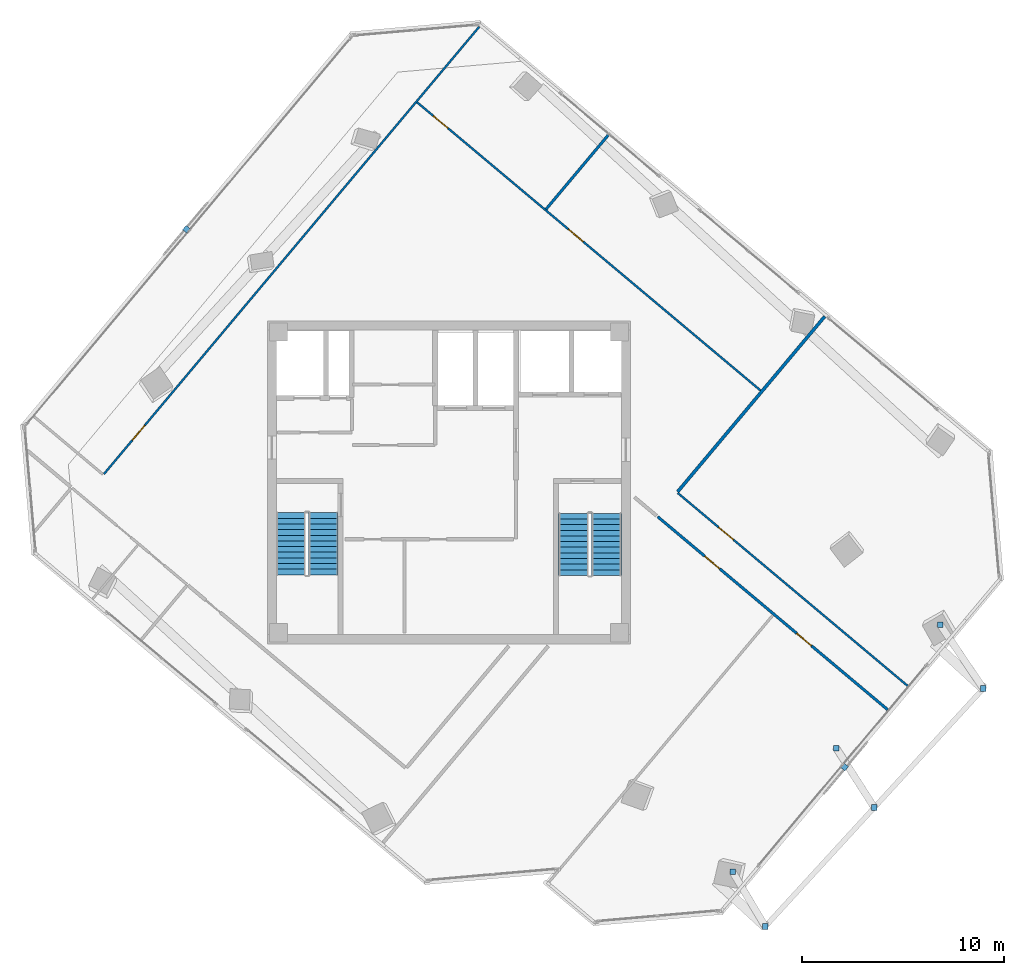
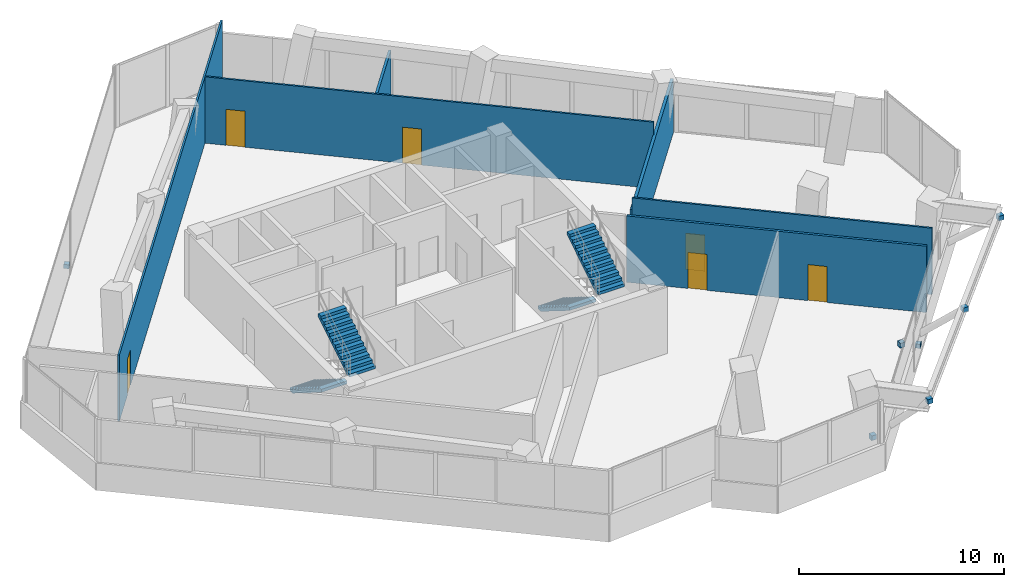
# One storey, part 15 of 18: 8 discrete accessories, 6 doors, 6 walls, 4 stair flights, 6 openings, 2 elements without a shape of their own.
"""IFC4 building model written with IfcOpenShell, lengths in metres."""

from ifc_helpers import new_model, si_unit, direction, frame, frame_2d, origin, origin_2d, place, context, subcontext, project, spatial, polyline, rectangle, outline, extrude, source, transform, mapped, material, layer, layer_set, type_object, element, fill, aggregate, save


model = new_model("IFC4")

# Units and contexts
model_context = context("Model", 3, precision=1e-05, world=origin(), true_north=direction((0.0, 1.0)))
body_context = subcontext(model_context, "Body", "Model", "MODEL_VIEW")
ifc_project = project(units=[si_unit("LENGTHUNIT", "METRE"), si_unit("AREAUNIT", "SQUARE_METRE"), si_unit("VOLUMEUNIT", "CUBIC_METRE"), si_unit("PLANEANGLEUNIT", "RADIAN"), si_unit("MASSUNIT", "GRAM", prefix="KILO")], contexts=[model_context])

# Site, building, storey
site_placement = place(None, origin())
site = spatial("IfcSite", under=ifc_project, at=site_placement, CompositionType="ELEMENT")
building_placement = place(site_placement, origin())
building = spatial("IfcBuilding", under=site, at=building_placement, Name="Torre Montelarca", CompositionType="ELEMENT")
storey_placement = place(building_placement, frame((0.0, 0.0, 224.800048828125)))
storey = spatial("IfcBuildingStorey", under=building, at=storey_placement, Name="L50", CompositionType="ELEMENT", Elevation=224.800048828125)

# Wall
ifc_material_1 = material(Name="Gypsum plasterboard on steel stud", Category="steel")
ifc_layer_1 = layer(ifc_material_1, 0.159912109375, Name="Gypsum plasterboard on steel stud", Category="steel")
ifc_layer_set_1 = layer_set([ifc_layer_1], Name="Gypsum plasterboard on steel stud")
wall_type_1 = type_object("IfcWallType", Name="PW-FIRE-160", PredefinedType="PARTITIONING", material=ifc_layer_set_1)
wall_1_placement = place(storey_placement, frame((29.334228515625, 31.535400390625, 0.0), z_axis=(0.0, 0.0, 1.0), x_axis=(0.642789592208, 0.766042779581, 0.0)))
element("IfcWall", 1, at=wall_1_placement, inside=storey, type_object=wall_type_1, Name="L50 Interior Partition W-L50-ECN", PredefinedType="PARTITIONING", context=body_context, shape_type="SweptSolid", body=[
    extrude(rectangle(XDim=11.340087890625, YDim=0.159912109375, at=frame_2d((5.669921875, 0.0))), origin(), (0.0, 0.0, 1.0), 3.195068359375),
])

# Wall, openings, doors
ifc_material_2 = material(Name="Acoustic laminated glass partition", Category="glass")
ifc_layer_2 = layer(ifc_material_2, 0.10009765625, Name="Acoustic laminated glass partition", Category="glass")
ifc_layer_set_2 = layer_set([ifc_layer_2], Name="Acoustic laminated glass partition")
wall_type_2 = type_object("IfcWallType", Name="PW-GLAZ-100", PredefinedType="PARTITIONING", material=ifc_layer_set_2)
wall_2_placement = place(storey_placement, frame((16.41552734375, 50.847900390625, 0.0), z_axis=(0.0, 0.0, 1.0), x_axis=(0.766043174175, -0.642789121951, 0.0)))
wall_2 = element("IfcWall", 2, at=wall_2_placement, inside=storey, type_object=wall_type_2, Name="L50 Interior Partition W-L50-NBOT", PredefinedType="PARTITIONING", context=body_context, shape_type="SweptSolid", body=[
    extrude(rectangle(XDim=22.27001953125, YDim=0.10009765625, at=frame_2d((11.135009765625, 0.0))), origin(), (0.0, 0.0, 1.0), 3.9599609375),
])
opening_1_placement = place(wall_2_placement, frame((1.050048828125, 0.0, 0.0)))
opening_1 = element("IfcOpeningElement", 3, at=opening_1_placement, cuts=wall_2, Name="Opening ID-095", PredefinedType="OPENING", context=body_context, shape_type="SweptSolid", body=[
    extrude(rectangle(XDim=0.949951171875, YDim=2.14990234375, at=frame_2d((0.47509765625, 1.074951171875))), frame((0.0, 0.06005859375, 0.0), z_axis=(0.0, -1.0, 0.0), x_axis=(1.0, 0.0, 0.0)), (0.0, 0.0, 1.0), 0.1201171875),
])
opening_2_placement = place(wall_2_placement, frame((9.800048828125, 0.0, 0.0)))
opening_2 = element("IfcOpeningElement", 4, at=opening_2_placement, cuts=wall_2, Name="Opening ID-095", PredefinedType="OPENING", context=body_context, shape_type="SweptSolid", body=[
    extrude(rectangle(XDim=0.949951171875, YDim=2.14990234375, at=frame_2d((0.47509765625, 1.074951171875))), frame((0.0, 0.06005859375, 0.0), z_axis=(0.0, -1.0, 0.0), x_axis=(1.0, 0.0, 0.0)), (0.0, 0.0, 1.0), 0.1201171875),
])
ifc_material_3 = material(Name="Hardwood acoustic timber veneer", Category="wood")
door_type = type_object("IfcDoorType", Name="DR-INT-095", OperationType="NOTDEFINED", PredefinedType="DOOR", material=ifc_material_3)
shared_shape_1 = source(origin(), body_context, "Body", "SweptSolid", [
    extrude(rectangle(XDim=0.949951171875, YDim=2.14990234375, at=frame_2d((0.47509765625, 1.074951171875))), frame((0.0, 0.02490234375, 0.0), z_axis=(0.0, -1.0, 0.0), x_axis=(1.0, 0.0, 0.0)), (0.0, 0.0, 1.0), 0.050048828125),
])
door_1_placement = place(opening_1_placement, origin())
door_1 = element("IfcDoor", 5, at=door_1_placement, inside=storey, type_object=door_type, Name="L50 Interior Door 09", OperationType="SINGLE_SWING_LEFT", OverallHeight=2.14990234375, OverallWidth=0.949951171875, PredefinedType="DOOR", context=body_context, shape_type="MappedRepresentation", body=[
    mapped(shared_shape_1, transform((0.0, 0.0, 0.0), scale=1.0)),
])
fill(opening_1, door_1)
door_2_placement = place(opening_2_placement, origin())
door_2 = element("IfcDoor", 6, at=door_2_placement, inside=storey, type_object=door_type, Name="L50 Interior Door 10", OperationType="SINGLE_SWING_RIGHT", OverallHeight=2.14990234375, OverallWidth=0.949951171875, PredefinedType="DOOR", context=body_context, shape_type="MappedRepresentation", body=[
    mapped(shared_shape_1, transform((0.0, 0.0, 0.0), scale=1.0)),
])
fill(opening_2, door_2)

# Wall, opening, door
wall_3_placement = place(storey_placement, frame((0.893798828125, 32.41162109375, 0.0), z_axis=(0.0, 0.0, 1.0), x_axis=(0.642782006196, 0.766049144971, 0.0)))
wall_3 = element("IfcWall", 7, at=wall_3_placement, inside=storey, type_object=wall_type_2, Name="L50 Interior Partition W-L50-WWGE", PredefinedType="PARTITIONING", context=body_context, shape_type="SweptSolid", body=[
    extrude(rectangle(XDim=28.9501953125, YDim=0.10009765625, at=frame_2d((14.47509765625, 0.0))), origin(), (0.0, 0.0, 1.0), 3.9599609375),
])
opening_3_placement = place(wall_3_placement, frame((2.199951171875, 0.0, 0.0)))
opening_3 = element("IfcOpeningElement", 8, at=opening_3_placement, cuts=wall_3, Name="Opening ID-095", PredefinedType="OPENING", context=body_context, shape_type="SweptSolid", body=[
    extrude(rectangle(XDim=0.949951171875, YDim=2.14990234375, at=frame_2d((0.47509765625, 1.074951171875))), frame((0.0, 0.06005859375, 0.0), z_axis=(0.0, -1.0, 0.0), x_axis=(1.0, 0.0, 0.0)), (0.0, 0.0, 1.0), 0.1201171875),
])
door_3_placement = place(opening_3_placement, origin())
door_3 = element("IfcDoor", 9, at=door_3_placement, inside=storey, type_object=door_type, Name="L50 Interior Door 11", OperationType="SINGLE_SWING_LEFT", OverallHeight=2.14990234375, OverallWidth=0.949951171875, PredefinedType="DOOR", context=body_context, shape_type="MappedRepresentation", body=[
    mapped(shared_shape_1, transform((0.0, 0.0, 0.0), scale=1.0)),
])
fill(opening_3, door_3)

wall_4_placement = place(storey_placement, frame((29.339111328125, 31.479248046875, 0.0), z_axis=(0.0, 0.0, 1.0), x_axis=(0.766048981681, -0.6427822008, 0.0)))
wall_4 = element("IfcWall", 10, at=wall_4_placement, inside=storey, type_object=wall_type_2, Name="L50 Interior Partition W-L50-NE-S", PredefinedType="PARTITIONING", context=body_context, shape_type="SweptSolid", body=[
    extrude(rectangle(XDim=14.880126953125, YDim=0.10009765625, at=frame_2d((7.43994140625, 0.0))), origin(), (0.0, 0.0, 1.0), 3.9599609375),
])
opening_4_placement = place(wall_4_placement, frame((2.64990234375, 0.0, 0.0)))
opening_4 = element("IfcOpeningElement", 11, at=opening_4_placement, cuts=wall_4, Name="Opening ID-095", PredefinedType="OPENING", context=body_context, shape_type="SweptSolid", body=[
    extrude(rectangle(XDim=0.949951171875, YDim=2.14990234375, at=frame_2d((0.47509765625, 1.074951171875))), frame((0.0, 0.06005859375, 0.0), z_axis=(0.0, -1.0, 0.0), x_axis=(1.0, 0.0, 0.0)), (0.0, 0.0, 1.0), 0.1201171875),
])
door_4_placement = place(opening_4_placement, origin())
door_4 = element("IfcDoor", 12, at=door_4_placement, inside=storey, type_object=door_type, Name="L50 Interior Door 12", OperationType="SINGLE_SWING_LEFT", OverallHeight=2.14990234375, OverallWidth=0.949951171875, PredefinedType="DOOR", context=body_context, shape_type="MappedRepresentation", body=[
    mapped(shared_shape_1, transform((0.0, 0.0, 0.0), scale=1.0)),
])
fill(opening_4, door_4)

# Wall
ifc_layer_3 = layer(ifc_material_1, 0.135009765625, Name="Gypsum plasterboard on steel stud", Category="steel")
ifc_layer_set_3 = layer_set([ifc_layer_3], Name="Gypsum plasterboard on steel stud")
wall_type_3 = type_object("IfcWallType", Name="PW-PART-135", PredefinedType="PARTITIONING", material=ifc_layer_set_3)
wall_5_placement = place(storey_placement, frame((22.80712890625, 45.536865234375, 0.0), z_axis=(0.0, 0.0, 1.0), x_axis=(0.642796794607, 0.766036735961, 0.0)))
element("IfcWall", 13, at=wall_5_placement, inside=storey, type_object=wall_type_3, Name="L50 Interior Partition W-L50-NDIV-1", PredefinedType="PARTITIONING", context=body_context, shape_type="SweptSolid", body=[
    extrude(rectangle(XDim=4.809814453125, YDim=0.135009765625, at=frame_2d((2.40478515625, 0.0))), origin(), (0.0, 0.0, 1.0), 3.195068359375),
])

# Wall, openings, doors
wall_6_placement = place(storey_placement, frame((28.349365234375, 30.299560546875, 0.0), z_axis=(0.0, 0.0, 1.0), x_axis=(0.766042202636, -0.642790279781, 0.0)))
wall_6 = element("IfcWall", 14, at=wall_6_placement, inside=storey, type_object=wall_type_3, Name="L50 Interior Partition W-L50-SE-N", PredefinedType="PARTITIONING", context=body_context, shape_type="SweptSolid", body=[
    extrude(rectangle(XDim=14.8798828125, YDim=0.135009765625, at=frame_2d((7.43994140625, 0.0))), origin(), (0.0, 0.0, 1.0), 3.9599609375),
])
opening_5_placement = place(wall_6_placement, frame((3.050048828125, 0.0, 0.0)))
opening_5 = element("IfcOpeningElement", 15, at=opening_5_placement, cuts=wall_6, Name="Opening ID-095", PredefinedType="OPENING", context=body_context, shape_type="SweptSolid", body=[
    extrude(rectangle(XDim=0.949951171875, YDim=2.14990234375, at=frame_2d((0.47509765625, 1.074951171875))), frame((0.0, 0.07763671875, 0.0), z_axis=(0.0, -1.0, 0.0), x_axis=(1.0, 0.0, 0.0)), (0.0, 0.0, 1.0), 0.155029296875),
])
opening_6_placement = place(wall_6_placement, frame((9.0, 0.0, 0.0)))
opening_6 = element("IfcOpeningElement", 16, at=opening_6_placement, cuts=wall_6, Name="Opening ID-095", PredefinedType="OPENING", context=body_context, shape_type="SweptSolid", body=[
    extrude(rectangle(XDim=0.949951171875, YDim=2.14990234375, at=frame_2d((0.47509765625, 1.074951171875))), frame((0.0, 0.07763671875, 0.0), z_axis=(0.0, -1.0, 0.0), x_axis=(1.0, 0.0, 0.0)), (0.0, 0.0, 1.0), 0.155029296875),
])
door_5_placement = place(opening_5_placement, origin())
door_5 = element("IfcDoor", 17, at=door_5_placement, inside=storey, type_object=door_type, Name="L50 Interior Door 13", OperationType="SINGLE_SWING_LEFT", OverallHeight=2.14990234375, OverallWidth=0.949951171875, PredefinedType="DOOR", context=body_context, shape_type="MappedRepresentation", body=[
    mapped(shared_shape_1, transform((0.0, 0.0, 0.0), scale=1.0)),
])
fill(opening_5, door_5)
door_6_placement = place(opening_6_placement, origin())
door_6 = element("IfcDoor", 18, at=door_6_placement, inside=storey, type_object=door_type, Name="L50 Interior Door 14", OperationType="SINGLE_SWING_RIGHT", OverallHeight=2.14990234375, OverallWidth=0.949951171875, PredefinedType="DOOR", context=body_context, shape_type="MappedRepresentation", body=[
    mapped(shared_shape_1, transform((0.0, 0.0, 0.0), scale=1.0)),
])
fill(opening_6, door_6)

# Stair, stair flights
ifc_material_4 = material(Name="Concrete C40/50", Category="concrete")
stair_type_1 = type_object("IfcStairType", Name="ST-CORE-ST1", PredefinedType="HALF_TURN_STAIR", material=ifc_material_4)
stair_1_placement = place(storey_placement, origin())
stair_1 = element("IfcStair", 19, at=stair_1_placement, inside=storey, type_object=stair_type_1, Name="L50 Protected Exit Stair ST1", PredefinedType="HALF_TURN_STAIR")
stair_flight_type_1 = type_object("IfcStairFlightType", Name="SFL-CORE-ST1", PredefinedType="STRAIGHT", material=ifc_material_4)
stair_flight_1_placement = place(storey_placement, frame((10.175048828125, 30.5, 0.0), z_axis=(0.0, 0.0, 1.0), x_axis=(0.0, -1.0, 0.0)))
stair_flight_1 = element("IfcStairFlight", 20, at=stair_flight_1_placement, type_object=stair_flight_type_1, Name="ST1 flight 1", NumberOfRisers=12, NumberOfTreads=11, PredefinedType="STRAIGHT", RiserHeight=0.175, TreadLength=0.28, context=body_context, shape_type="SweptSolid", body=[
    extrude(outline(polyline([(0.0, 0.0), (0.0, 0.175048828125), (0.280029296875, 0.175048828125), (0.280029296875, 0.35009765625), (0.56005859375, 0.35009765625), (0.56005859375, 0.52490234375), (0.840087890625, 0.52490234375), (0.840087890625, 0.699951171875), (1.1201171875, 0.699951171875), (1.1201171875, 0.875), (1.39990234375, 0.875), (1.39990234375, 1.050048828125), (1.679931640625, 1.050048828125), (1.679931640625, 1.22509765625), (1.9599609375, 1.22509765625), (1.9599609375, 1.39990234375), (2.239990234375, 1.39990234375), (2.239990234375, 1.574951171875), (2.52001953125, 1.574951171875), (2.52001953125, 1.75), (2.800048828125, 1.75), (2.800048828125, 1.925048828125), (3.080078125, 1.925048828125), (3.080078125, 2.10009765625), (3.080078125, 1.748291015625), (0.28271484375, 0.0), (0.0, 0.0)])), frame((0.0, 0.72509765625, 0.0), z_axis=(0.0, -1.0, 0.0), x_axis=(1.0, 0.0, 0.0)), (0.0, 0.0, 1.0), 1.449951171875),
])
stair_flight_2_placement = place(storey_placement, frame((11.77490234375, 27.419921875, 2.099853515625), z_axis=(0.0, 0.0, 1.0), x_axis=(0.0, 1.0, 0.0)))
stair_flight_2 = element("IfcStairFlight", 21, at=stair_flight_2_placement, type_object=stair_flight_type_1, Name="ST1 flight 2", NumberOfRisers=12, NumberOfTreads=11, PredefinedType="STRAIGHT", RiserHeight=0.175, TreadLength=0.28, context=body_context, shape_type="SweptSolid", body=[
    extrude(outline(polyline([(0.0, 0.0), (0.0, 0.175048828125), (0.280029296875, 0.175048828125), (0.280029296875, 0.35009765625), (0.56005859375, 0.35009765625), (0.56005859375, 0.52490234375), (0.840087890625, 0.52490234375), (0.840087890625, 0.699951171875), (1.1201171875, 0.699951171875), (1.1201171875, 0.875), (1.39990234375, 0.875), (1.39990234375, 1.050048828125), (1.679931640625, 1.050048828125), (1.679931640625, 1.22509765625), (1.9599609375, 1.22509765625), (1.9599609375, 1.39990234375), (2.239990234375, 1.39990234375), (2.239990234375, 1.574951171875), (2.52001953125, 1.574951171875), (2.52001953125, 1.75), (2.800048828125, 1.75), (2.800048828125, 1.925048828125), (3.080078125, 1.925048828125), (3.080078125, 2.10009765625), (3.080078125, 1.748291015625), (0.28271484375, 0.0), (0.0, 0.0)])), frame((0.0, 0.72509765625, 0.0), z_axis=(0.0, -1.0, 0.0), x_axis=(1.0, 0.0, 0.0)), (0.0, 0.0, 1.0), 1.449951171875),
])
aggregate(stair_1, [stair_flight_1, stair_flight_2])

stair_type_2 = type_object("IfcStairType", Name="ST-CORE-ST2", PredefinedType="HALF_TURN_STAIR", material=ifc_material_4)
stair_2_placement = place(storey_placement, origin())
stair_2 = element("IfcStair", 22, at=stair_2_placement, inside=storey, type_object=stair_type_2, Name="L50 Protected Exit Stair ST2", PredefinedType="HALF_TURN_STAIR")
stair_flight_type_2 = type_object("IfcStairFlightType", Name="SFL-CORE-ST2", PredefinedType="STRAIGHT", material=ifc_material_4)
stair_flight_3_placement = place(storey_placement, frame((24.179931640625, 30.469970703125, 0.0), z_axis=(0.0, 0.0, 1.0), x_axis=(0.0, -1.0, 0.0)))
stair_flight_3 = element("IfcStairFlight", 23, at=stair_flight_3_placement, type_object=stair_flight_type_2, Name="ST2 flight 1", NumberOfRisers=12, NumberOfTreads=11, PredefinedType="STRAIGHT", RiserHeight=0.175, TreadLength=0.28, context=body_context, shape_type="SweptSolid", body=[
    extrude(outline(polyline([(0.0, 0.0), (0.0, 0.175048828125), (0.280029296875, 0.175048828125), (0.280029296875, 0.35009765625), (0.56005859375, 0.35009765625), (0.56005859375, 0.52490234375), (0.840087890625, 0.52490234375), (0.840087890625, 0.699951171875), (1.1201171875, 0.699951171875), (1.1201171875, 0.875), (1.39990234375, 0.875), (1.39990234375, 1.050048828125), (1.679931640625, 1.050048828125), (1.679931640625, 1.22509765625), (1.9599609375, 1.22509765625), (1.9599609375, 1.39990234375), (2.239990234375, 1.39990234375), (2.239990234375, 1.574951171875), (2.52001953125, 1.574951171875), (2.52001953125, 1.75), (2.800048828125, 1.75), (2.800048828125, 1.925048828125), (3.080078125, 1.925048828125), (3.080078125, 2.10009765625), (3.080078125, 1.748291015625), (0.28271484375, 0.0), (0.0, 0.0)])), frame((0.0, 0.739990234375, 0.0), z_axis=(0.0, -1.0, 0.0), x_axis=(1.0, 0.0, 0.0)), (0.0, 0.0, 1.0), 1.47998046875),
])
stair_flight_4_placement = place(storey_placement, frame((25.81005859375, 27.389892578125, 2.099853515625), z_axis=(0.0, 0.0, 1.0), x_axis=(0.0, 1.0, 0.0)))
stair_flight_4 = element("IfcStairFlight", 24, at=stair_flight_4_placement, type_object=stair_flight_type_2, Name="ST2 flight 2", NumberOfRisers=12, NumberOfTreads=11, PredefinedType="STRAIGHT", RiserHeight=0.175, TreadLength=0.28, context=body_context, shape_type="SweptSolid", body=[
    extrude(outline(polyline([(0.0, 0.0), (0.0, 0.175048828125), (0.280029296875, 0.175048828125), (0.280029296875, 0.35009765625), (0.56005859375, 0.35009765625), (0.56005859375, 0.52490234375), (0.840087890625, 0.52490234375), (0.840087890625, 0.699951171875), (1.1201171875, 0.699951171875), (1.1201171875, 0.875), (1.39990234375, 0.875), (1.39990234375, 1.050048828125), (1.679931640625, 1.050048828125), (1.679931640625, 1.22509765625), (1.9599609375, 1.22509765625), (1.9599609375, 1.39990234375), (2.239990234375, 1.39990234375), (2.239990234375, 1.574951171875), (2.52001953125, 1.574951171875), (2.52001953125, 1.75), (2.800048828125, 1.75), (2.800048828125, 1.925048828125), (3.080078125, 1.925048828125), (3.080078125, 2.10009765625), (3.080078125, 1.748291015625), (0.28271484375, 0.0), (0.0, 0.0)])), frame((0.0, 0.739990234375, 0.0), z_axis=(0.0, -1.0, 0.0), x_axis=(1.0, 0.0, 0.0)), (0.0, 0.0, 1.0), 1.47998046875),
])
aggregate(stair_2, [stair_flight_3, stair_flight_4])

# Discrete accessories
ifc_material_5 = material(Name="Stainless steel AISI 316", Category="steel")
discrete_accessory_type = type_object("IfcDiscreteAccessoryType", Name="ACC-BRACKET-SS", PredefinedType="BRACKET", material=ifc_material_5)
shared_shape_2 = source(origin(), body_context, "Body", "SweptSolid", [
    extrude(rectangle(XDim=0.280029296875, YDim=0.280029296875, at=origin_2d()), origin(), (0.0, 0.0, 1.0), 0.280029296875),
])
for number, where, z_axis, x_axis, name in (
    (25, (32.0615234375, 12.694580078125, 0.009765625), (0.0, 0.0, 1.0), (1.0, 0.0, 0.0), "L51 Raker End Connection Bracket E1-FT"),
    (26, (33.67919921875, 9.989013671875, 3.2451171875), (0.0, 0.0, 1.0), (1.0, 0.0, 0.0), "L51 Raker End Connection Bracket E1-HD"),
    (27, (37.203857421875, 18.822998046875, 0.009765625), (0.0, 0.0, 1.0), (1.0, 0.0, 0.0), "L51 Raker End Connection Bracket E2-FT"),
    (28, (39.083984375, 15.88720703125, 3.2451171875), (0.0, 0.0, 1.0), (1.0, 0.0, 0.0), "L51 Raker End Connection Bracket E2-HD"),
    (29, (42.34619140625, 24.951171875, 0.009765625), (0.0, 0.0, 1.0), (1.0, 0.0, 0.0), "L51 Raker End Connection Bracket E3-FT"),
    (30, (44.48876953125, 21.785400390625, 3.2451171875), (0.0, 0.0, 1.0), (1.0, 0.0, 0.0), "L51 Raker End Connection Bracket E3-HD"),
):
    element("IfcDiscreteAccessory", number, at=place(storey_placement, frame(where, z_axis=z_axis, x_axis=x_axis)), inside=storey, type_object=discrete_accessory_type, Name=name, PredefinedType="BRACKET", context=body_context, shape_type="MappedRepresentation", body=[
        mapped(shared_shape_2, transform((0.0, 0.0, 0.0), scale=1.0)),
    ])
shared_shape_3 = source(origin(), body_context, "Body", "SweptSolid", [
    extrude(rectangle(XDim=0.280029296875, YDim=0.260009765625, at=origin_2d()), origin(), (0.0, 0.0, 1.0), 0.239990234375),
])
for number, where, z_axis, x_axis, name in (
    (31, (37.618896484375, 17.885986328125, 0.39990234375), (0.0, 0.0, 1.0), (0.642786272686, 0.766045564994, 0.0), "L50 Solar Screen Support Bracket E6-1"),
    (32, (4.98486328125, 44.552490234375, 0.39990234375), (0.0, 0.0, 1.0), (-0.642787609687, -0.766044443119, 0.0), "L50 Solar Screen Support Bracket E10-1"),
):
    element("IfcDiscreteAccessory", number, at=place(storey_placement, frame(where, z_axis=z_axis, x_axis=x_axis)), inside=storey, type_object=discrete_accessory_type, Name=name, PredefinedType="BRACKET", context=body_context, shape_type="MappedRepresentation", body=[
        mapped(shared_shape_3, transform((0.0, 0.0, 0.0), scale=1.0)),
    ])

save(model, "model.ifc")
